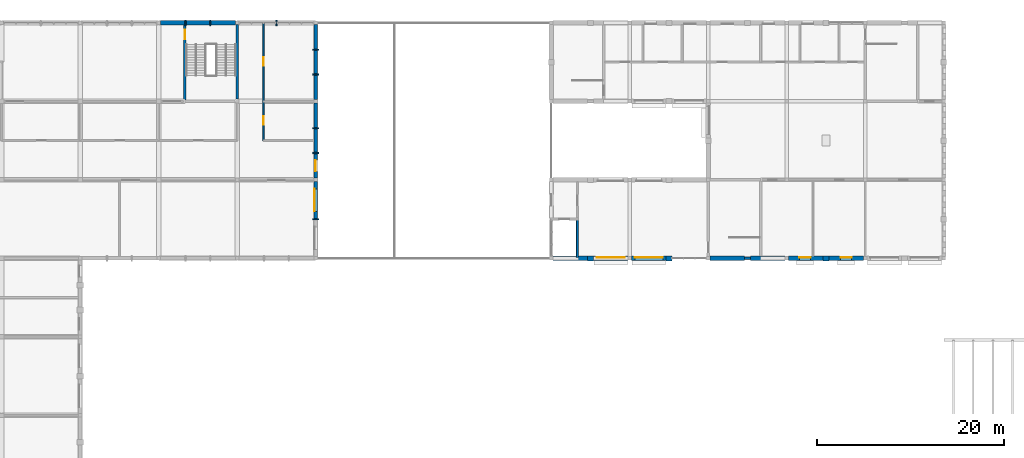
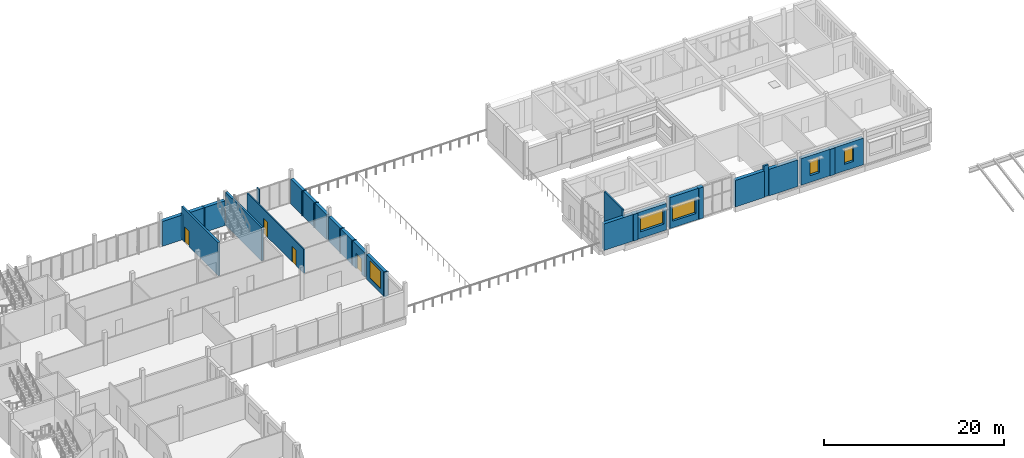
# One storey, part 23 of 30: 33 walls, 5 windows, 4 doors, 9 openings.
"""IFC4 building model written with IfcOpenShell, lengths in metres."""

from ifc_helpers import new_model, si_unit, direction, frame, frame_2d, origin, place, context, subcontext, project, spatial, rectangle, extrude, material, layer, layer_set, type_object, element, fill, save


model = new_model("IFC4")

# Units and contexts
model_context = context("Model", 3, precision=1e-05, world=origin(), true_north=direction((0.0, 1.0)))
body_context = subcontext(model_context, "Body", "Model", "MODEL_VIEW")
ifc_project = project(units=[si_unit("LENGTHUNIT", "METRE"), si_unit("AREAUNIT", "SQUARE_METRE"), si_unit("VOLUMEUNIT", "CUBIC_METRE"), si_unit("PLANEANGLEUNIT", "RADIAN"), si_unit("MASSUNIT", "GRAM", prefix="KILO")], contexts=[model_context])

# Site, building, storey
site_placement = place(None, origin())
site = spatial("IfcSite", under=ifc_project, at=site_placement, CompositionType="ELEMENT")
building_placement = place(site_placement, origin())
building = spatial("IfcBuilding", under=site, at=building_placement, Name="Fescue Hill Polytechnic", CompositionType="ELEMENT")
storey_placement = place(building_placement, frame((0.0, 0.0, 22.5)))
storey = spatial("IfcBuildingStorey", under=building, at=storey_placement, Name="L05", CompositionType="ELEMENT", Elevation=22.5)

# Walls
ifc_material_1 = material(Name="Clay brick masonry", Category="masonry")
ifc_layer_1 = layer(ifc_material_1, 0.550048828125)
ifc_layer_set_1 = layer_set([ifc_layer_1], Name="Clay brick masonry")
wall_type_1 = type_object("IfcWallType", Name="Brick pier 600x550", PredefinedType="SOLIDWALL", material=ifc_layer_set_1)
wall_1_placement = place(storey_placement, frame((79.5, 109.199951171875, 0.0), z_axis=(0.0, 0.0, 1.0), x_axis=(1.0, 0.0, 0.0)))
element("IfcWall", 1, at=wall_1_placement, inside=storey, type_object=wall_type_1, Name="PR-L05-V4b-7", PredefinedType="SOLIDWALL", context=body_context, shape_type="SweptSolid", body=[
    extrude(rectangle(XDim=0.60009765625, YDim=0.550048828125, at=frame_2d((0.300048828125, 0.0))), origin(), (0.0, 0.0, 1.0), 3.60009765625),
])
wall_2_placement = place(storey_placement, frame((87.89990234375, 109.199951171875, 0.0), z_axis=(0.0, 0.0, 1.0), x_axis=(1.0, 0.0, 0.0)))
element("IfcWall", 2, at=wall_2_placement, inside=storey, type_object=wall_type_1, Name="PR-L05-V4b-8", PredefinedType="SOLIDWALL", context=body_context, shape_type="SweptSolid", body=[
    extrude(rectangle(XDim=0.60009765625, YDim=0.550048828125, at=frame_2d((0.300048828125, 0.0))), origin(), (0.0, 0.0, 1.0), 4.199951171875),
])
wall_3_placement = place(storey_placement, frame((104.699951171875, 109.199951171875, 0.0), z_axis=(0.0, 0.0, 1.0), x_axis=(1.0, 0.0, 0.0)))
element("IfcWall", 3, at=wall_3_placement, inside=storey, type_object=wall_type_1, Name="PR-L05-V4b-10", PredefinedType="SOLIDWALL", context=body_context, shape_type="SweptSolid", body=[
    extrude(rectangle(XDim=0.60009765625, YDim=0.550048828125, at=frame_2d((0.300048828125, 0.0))), origin(), (0.0, 0.0, 1.0), 3.60009765625),
])

# Wall, opening, door
ifc_material_2 = material(Name="Concrete 40 MPa", Category="concrete")
ifc_layer_2 = layer(ifc_material_2, 0.25)
ifc_layer_set_2 = layer_set([ifc_layer_2], Name="Concrete 40 MPa")
wall_type_2 = type_object("IfcWallType", Name="Core wall 250", PredefinedType="SHEAR", material=ifc_layer_set_2)
wall_4_placement = place(storey_placement, frame((36.39990234375, 126.125, 0.0), z_axis=(0.0, 0.0, 1.0), x_axis=(0.0, 1.0, 0.0)))
wall_4 = element("IfcWall", 4, at=wall_4_placement, inside=storey, type_object=wall_type_2, Name="CW-L05-ST-V5-2-31", PredefinedType="SHEAR", context=body_context, shape_type="SweptSolid", body=[
    extrude(rectangle(XDim=8.14990234375, YDim=0.25, at=frame_2d((4.074951171875, 0.0))), origin(), (0.0, 0.0, 1.0), 4.5),
])
opening_1_placement = place(wall_4_placement, frame((6.52490234375, 0.0, 0.0)))
opening_1 = element("IfcOpeningElement", 5, at=opening_1_placement, cuts=wall_4, Name="Opening D5044", PredefinedType="OPENING", context=body_context, shape_type="SweptSolid", body=[
    extrude(rectangle(XDim=1.0, YDim=2.10009765625, at=frame_2d((0.5, 1.050048828125))), frame((0.0, 0.135009765625, 0.0), z_axis=(0.0, -1.0, 0.0), x_axis=(1.0, 0.0, 0.0)), (0.0, 0.0, 1.0), 0.27001953125),
])
ifc_material_3 = material(Name="Steel fire door", Category="steel")
door_type_1 = type_object("IfcDoorType", Name="Door single swing 1000x2100 stair fire rated", OperationType="NOTDEFINED", PredefinedType="DOOR", material=ifc_material_3)
door_1_placement = place(opening_1_placement, origin())
door_1 = element("IfcDoor", 6, at=door_1_placement, inside=storey, type_object=door_type_1, Name="L05 ST-V5-2 stair door", OperationType="SINGLE_SWING_RIGHT", OverallHeight=2.10009765625, OverallWidth=1.0, PredefinedType="DOOR", context=body_context, shape_type="SweptSolid", body=[
    extrude(rectangle(XDim=1.0, YDim=2.10009765625, at=frame_2d((0.5, 1.050048828125))), frame((0.0, 0.02490234375, 0.0), z_axis=(0.0, -1.0, 0.0), x_axis=(1.0, 0.0, 0.0)), (0.0, 0.0, 1.0), 0.050048828125),
])
fill(opening_1, door_1)

# Walls
wall_5_placement = place(storey_placement, frame((42.0, 126.25, 0.0), z_axis=(0.0, 0.0, 1.0), x_axis=(0.0, 1.0, 0.0)))
element("IfcWall", 7, at=wall_5_placement, inside=storey, type_object=wall_type_2, Name="CW-L05-ST-V5-2-41", PredefinedType="SHEAR", context=body_context, shape_type="SweptSolid", body=[
    extrude(rectangle(XDim=7.949951171875, YDim=0.25, at=frame_2d((3.97509765625, 0.0))), origin(), (0.0, 0.0, 1.0), 4.5),
])
wall_6_placement = place(storey_placement, frame((96.300048828125, 109.199951171875, 0.0), z_axis=(0.0, 0.0, 1.0), x_axis=(1.0, 0.0, 0.0)))
element("IfcWall", 8, at=wall_6_placement, inside=storey, type_object=wall_type_2, Name="SCW-L05-ST-V4b-3-s1", PredefinedType="SHEAR", context=body_context, shape_type="SweptSolid", body=[
    extrude(rectangle(XDim=0.599853515625, YDim=0.25, at=frame_2d((0.2998046875, 0.0))), origin(), (0.0, 0.0, 1.0), 4.199951171875),
])

# Wall, openings, doors
ifc_material_4 = material(Name="Gypsum board partition")
ifc_layer_3 = layer(ifc_material_4, 0.14990234375)
ifc_layer_set_3 = layer_set([ifc_layer_3], Name="Gypsum board partition")
wall_type_3 = type_object("IfcWallType", Name="Corridor wall 150 EI 45", PredefinedType="PARTITIONING", material=ifc_layer_set_3)
wall_7_placement = place(storey_placement, frame((44.800048828125, 121.800048828125, 0.0), z_axis=(0.0, 0.0, 1.0), x_axis=(0.0, 1.0, 0.0)))
wall_7 = element("IfcWall", 9, at=wall_7_placement, inside=storey, type_object=wall_type_3, Name="IW-L05-059", PredefinedType="PARTITIONING", context=body_context, shape_type="SweptSolid", body=[
    extrude(rectangle(XDim=12.599853515625, YDim=0.14990234375, at=frame_2d((6.2998046875, 0.0))), origin(), (0.0, 0.0, 1.0), 3.27001953125),
])
opening_2_placement = place(wall_7_placement, frame((1.699951171875, 0.0, 0.0)))
opening_2 = element("IfcOpeningElement", 10, at=opening_2_placement, cuts=wall_7, Name="Opening D5024", PredefinedType="OPENING", context=body_context, shape_type="SweptSolid", body=[
    extrude(rectangle(XDim=0.89990234375, YDim=2.10009765625, at=frame_2d((0.449951171875, 1.050048828125))), frame((0.0, 0.0849609375, 0.0), z_axis=(0.0, -1.0, 0.0), x_axis=(1.0, 0.0, 0.0)), (0.0, 0.0, 1.0), 0.169921875),
])
opening_3_placement = place(wall_7_placement, frame((8.0, 0.0, 0.0)))
opening_3 = element("IfcOpeningElement", 11, at=opening_3_placement, cuts=wall_7, Name="Opening D5028", PredefinedType="OPENING", context=body_context, shape_type="SweptSolid", body=[
    extrude(rectangle(XDim=0.89990234375, YDim=2.10009765625, at=frame_2d((0.449951171875, 1.050048828125))), frame((0.0, 0.0849609375, 0.0), z_axis=(0.0, -1.0, 0.0), x_axis=(1.0, 0.0, 0.0)), (0.0, 0.0, 1.0), 0.169921875),
])
ifc_material_5 = material(Name="Timber", Category="wood")
door_type_2 = type_object("IfcDoorType", Name="Door single swing 900x2100 FD30S", OperationType="SINGLE_SWING_LEFT", PredefinedType="DOOR", material=ifc_material_5)
door_2_placement = place(opening_2_placement, origin())
door_2 = element("IfcDoor", 12, at=door_2_placement, inside=storey, type_object=door_type_2, Name="Door D5024", OperationType="SINGLE_SWING_LEFT", OverallHeight=2.10009765625, OverallWidth=0.89990234375, PredefinedType="DOOR", context=body_context, shape_type="SweptSolid", body=[
    extrude(rectangle(XDim=0.89990234375, YDim=2.10009765625, at=frame_2d((0.449951171875, 1.050048828125))), frame((0.0, 0.02490234375, 0.0), z_axis=(0.0, -1.0, 0.0), x_axis=(1.0, 0.0, 0.0)), (0.0, 0.0, 1.0), 0.050048828125),
])
fill(opening_2, door_2)
door_3_placement = place(opening_3_placement, origin())
door_3 = element("IfcDoor", 13, at=door_3_placement, inside=storey, type_object=door_type_2, Name="Door D5028", OperationType="SINGLE_SWING_RIGHT", OverallHeight=2.10009765625, OverallWidth=0.89990234375, PredefinedType="DOOR", context=body_context, shape_type="SweptSolid", body=[
    extrude(rectangle(XDim=0.89990234375, YDim=2.10009765625, at=frame_2d((0.449951171875, 1.050048828125))), frame((0.0, 0.02490234375, 0.0), z_axis=(0.0, -1.0, 0.0), x_axis=(1.0, 0.0, 0.0)), (0.0, 0.0, 1.0), 0.050048828125),
])
fill(opening_3, door_3)

# Walls
ifc_layer_4 = layer(ifc_material_2, 0.449951171875)
ifc_layer_set_4 = layer_set([ifc_layer_4], Name="Concrete 40 MPa")
wall_type_4 = type_object("IfcWallType", Name="Exterior wall board-marked concrete 450", PredefinedType="SOLIDWALL", material=ifc_layer_set_4)
wall_8_placement = place(storey_placement, frame((36.40673828125, 134.39990234375, 0.0), z_axis=(0.0, 0.0, 1.0), x_axis=(-1.0, 0.0, 0.0)))
element("IfcWall", 14, at=wall_8_placement, inside=storey, type_object=wall_type_4, Name="EW-L05-V5-12", PredefinedType="SOLIDWALL", context=body_context, shape_type="SweptSolid", body=[
    extrude(rectangle(XDim=2.606689453125, YDim=0.449951171875, at=frame_2d((1.30322265625, 0.0))), origin(), (0.0, 0.0, 1.0), 3.35009765625),
])
wall_9_placement = place(storey_placement, frame((75.800048828125, 109.199951171875, 0.0), z_axis=(0.0, 0.0, 1.0), x_axis=(1.0, 0.0, 0.0)))
element("IfcWall", 15, at=wall_9_placement, inside=storey, type_object=wall_type_4, Name="EW-L05-V4b-15", PredefinedType="SOLIDWALL", context=body_context, shape_type="SweptSolid", body=[
    extrude(rectangle(XDim=3.699951171875, YDim=0.449951171875, at=frame_2d((1.85009765625, 0.0))), origin(), (0.0, 0.0, 1.0), 3.60009765625),
])

# Wall, opening, window
wall_10_placement = place(storey_placement, frame((80.10009765625, 109.199951171875, 0.0), z_axis=(0.0, 0.0, 1.0), x_axis=(1.0, 0.0, 0.0)))
wall_10 = element("IfcWall", 16, at=wall_10_placement, inside=storey, type_object=wall_type_4, Name="EW-L05-V4b-16", PredefinedType="SOLIDWALL", context=body_context, shape_type="SweptSolid", body=[
    extrude(rectangle(XDim=3.699951171875, YDim=0.449951171875, at=frame_2d((1.85009765625, 0.0))), origin(), (0.0, 0.0, 1.0), 3.60009765625),
])
opening_4_placement = place(wall_10_placement, frame((0.35009765625, 0.0, 0.89990234375)))
opening_4 = element("IfcOpeningElement", 17, at=opening_4_placement, cuts=wall_10, Name="Opening W5", PredefinedType="OPENING", context=body_context, shape_type="SweptSolid", body=[
    extrude(rectangle(XDim=3.0, YDim=2.10009765625, at=frame_2d((1.5, 1.050048828125))), frame((0.0, 0.23486328125, 0.0), z_axis=(0.0, -1.0, 0.0), x_axis=(1.0, 0.0, 0.0)), (0.0, 0.0, 1.0), 0.469970703125),
])
ifc_material_6 = material(Name="Powder-coated aluminium and glass", Category="aluminium")
window_type_1 = type_object("IfcWindowType", Name="Window studio large 3000x2100", PartitioningType="SINGLE_PANEL", PredefinedType="WINDOW", material=ifc_material_6)
window_1_placement = place(opening_4_placement, origin())
window_1 = element("IfcWindow", 18, at=window_1_placement, inside=storey, type_object=window_type_1, Name="WN-L05-V4b-6", OverallHeight=2.10009765625, OverallWidth=3.0, PartitioningType="SINGLE_PANEL", PredefinedType="WINDOW", context=body_context, shape_type="SweptSolid", body=[
    extrude(rectangle(XDim=3.0, YDim=2.10009765625, at=frame_2d((1.5, 1.050048828125))), frame((0.0, 0.135009765625, 0.0), z_axis=(0.0, -1.0, 0.0), x_axis=(1.0, 0.0, 0.0)), (0.0, 0.0, 1.0), 0.06005859375),
])
fill(opening_4, window_1)

wall_11_placement = place(storey_placement, frame((84.199951171875, 109.199951171875, 0.0), z_axis=(0.0, 0.0, 1.0), x_axis=(1.0, 0.0, 0.0)))
wall_11 = element("IfcWall", 19, at=wall_11_placement, inside=storey, type_object=wall_type_4, Name="EW-L05-V4b-17", PredefinedType="SOLIDWALL", context=body_context, shape_type="SweptSolid", body=[
    extrude(rectangle(XDim=3.699951171875, YDim=0.449951171875, at=frame_2d((1.85009765625, 0.0))), origin(), (0.0, 0.0, 1.0), 4.199951171875),
])
opening_5_placement = place(wall_11_placement, frame((0.35009765625, 0.0, 0.89990234375)))
opening_5 = element("IfcOpeningElement", 20, at=opening_5_placement, cuts=wall_11, Name="Opening W5", PredefinedType="OPENING", context=body_context, shape_type="SweptSolid", body=[
    extrude(rectangle(XDim=3.0, YDim=2.10009765625, at=frame_2d((1.5, 1.050048828125))), frame((0.0, 0.23486328125, 0.0), z_axis=(0.0, -1.0, 0.0), x_axis=(1.0, 0.0, 0.0)), (0.0, 0.0, 1.0), 0.469970703125),
])
window_2_placement = place(opening_5_placement, origin())
window_2 = element("IfcWindow", 21, at=window_2_placement, inside=storey, type_object=window_type_1, Name="WN-L05-V4b-7", OverallHeight=2.10009765625, OverallWidth=3.0, PartitioningType="SINGLE_PANEL", PredefinedType="WINDOW", context=body_context, shape_type="SweptSolid", body=[
    extrude(rectangle(XDim=3.0, YDim=2.10009765625, at=frame_2d((1.5, 1.050048828125))), frame((0.0, 0.135009765625, 0.0), z_axis=(0.0, -1.0, 0.0), x_axis=(1.0, 0.0, 0.0)), (0.0, 0.0, 1.0), 0.06005859375),
])
fill(opening_5, window_2)

wall_12_placement = place(storey_placement, frame((101.0, 109.199951171875, 0.0), z_axis=(0.0, 0.0, 1.0), x_axis=(1.0, 0.0, 0.0)))
wall_12 = element("IfcWall", 22, at=wall_12_placement, inside=storey, type_object=wall_type_4, Name="EW-L05-V4b-21", PredefinedType="SOLIDWALL", context=body_context, shape_type="SweptSolid", body=[
    extrude(rectangle(XDim=3.699951171875, YDim=0.449951171875, at=frame_2d((1.85009765625, 0.0))), origin(), (0.0, 0.0, 1.0), 3.60009765625),
])
opening_6_placement = place(wall_12_placement, frame((1.14990234375, 0.0, 0.89990234375)))
opening_6 = element("IfcOpeningElement", 23, at=opening_6_placement, cuts=wall_12, Name="Opening W13", PredefinedType="OPENING", context=body_context, shape_type="SweptSolid", body=[
    extrude(rectangle(XDim=1.199951171875, YDim=2.10009765625, at=frame_2d((0.60009765625, 1.050048828125))), frame((0.0, 0.23486328125, 0.0), z_axis=(0.0, -1.0, 0.0), x_axis=(1.0, 0.0, 0.0)), (0.0, 0.0, 1.0), 0.469970703125),
])
window_type_2 = type_object("IfcWindowType", Name="Window cellular office 1200x2100", PartitioningType="SINGLE_PANEL", PredefinedType="WINDOW", material=ifc_material_6)
window_3_placement = place(opening_6_placement, origin())
window_3 = element("IfcWindow", 24, at=window_3_placement, inside=storey, type_object=window_type_2, Name="WN-L05-V4b-8", OverallHeight=2.10009765625, OverallWidth=1.199951171875, PartitioningType="SINGLE_PANEL", PredefinedType="WINDOW", context=body_context, shape_type="SweptSolid", body=[
    extrude(rectangle(XDim=1.199951171875, YDim=2.10009765625, at=frame_2d((0.60009765625, 1.050048828125))), frame((0.0, 0.135009765625, 0.0), z_axis=(0.0, -1.0, 0.0), x_axis=(1.0, 0.0, 0.0)), (0.0, 0.0, 1.0), 0.06005859375),
])
fill(opening_6, window_3)

wall_13_placement = place(storey_placement, frame((105.300048828125, 109.199951171875, 0.0), z_axis=(0.0, 0.0, 1.0), x_axis=(1.0, 0.0, 0.0)))
wall_13 = element("IfcWall", 25, at=wall_13_placement, inside=storey, type_object=wall_type_4, Name="EW-L05-V4b-22", PredefinedType="SOLIDWALL", context=body_context, shape_type="SweptSolid", body=[
    extrude(rectangle(XDim=3.699951171875, YDim=0.449951171875, at=frame_2d((1.85009765625, 0.0))), origin(), (0.0, 0.0, 1.0), 3.60009765625),
])
opening_7_placement = place(wall_13_placement, frame((1.25, 0.0, 0.89990234375)))
opening_7 = element("IfcOpeningElement", 26, at=opening_7_placement, cuts=wall_13, Name="Opening W13", PredefinedType="OPENING", context=body_context, shape_type="SweptSolid", body=[
    extrude(rectangle(XDim=1.199951171875, YDim=2.10009765625, at=frame_2d((0.60009765625, 1.050048828125))), frame((0.0, 0.23486328125, 0.0), z_axis=(0.0, -1.0, 0.0), x_axis=(1.0, 0.0, 0.0)), (0.0, 0.0, 1.0), 0.469970703125),
])
window_4_placement = place(opening_7_placement, origin())
window_4 = element("IfcWindow", 27, at=window_4_placement, inside=storey, type_object=window_type_2, Name="WN-L05-V4b-9", OverallHeight=2.10009765625, OverallWidth=1.199951171875, PartitioningType="SINGLE_PANEL", PredefinedType="WINDOW", context=body_context, shape_type="SweptSolid", body=[
    extrude(rectangle(XDim=1.199951171875, YDim=2.10009765625, at=frame_2d((0.60009765625, 1.050048828125))), frame((0.0, 0.135009765625, 0.0), z_axis=(0.0, -1.0, 0.0), x_axis=(1.0, 0.0, 0.0)), (0.0, 0.0, 1.0), 0.06005859375),
])
fill(opening_7, window_4)

# Walls
ifc_layer_5 = layer(ifc_material_2, 0.449951171875)
ifc_layer_set_5 = layer_set([ifc_layer_5], Name="Concrete 40 MPa")
wall_type_5 = type_object("IfcWallType", Name="Exterior wall board-marked concrete 450 load-bearing", PredefinedType="SOLIDWALL", material=ifc_layer_set_5)
wall_14_placement = place(storey_placement, frame((41.800048828125, 134.39990234375, 0.0), z_axis=(0.0, 0.0, 1.0), x_axis=(-1.0, 0.0, 0.0)))
element("IfcWall", 28, at=wall_14_placement, inside=storey, type_object=wall_type_5, Name="EW-L05-V5-10", PredefinedType="SOLIDWALL", context=body_context, shape_type="SweptSolid", body=[
    extrude(rectangle(XDim=2.606689453125, YDim=0.449951171875, at=frame_2d((1.30322265625, 0.0))), origin(), (0.0, 0.0, 1.0), 3.35009765625),
])
wall_15_placement = place(storey_placement, frame((39.0732421875, 134.39990234375, 0.0), z_axis=(0.0, 0.0, 1.0), x_axis=(-1.0, 0.0, 0.0)))
element("IfcWall", 29, at=wall_15_placement, inside=storey, type_object=wall_type_5, Name="EW-L05-V5-11", PredefinedType="SOLIDWALL", context=body_context, shape_type="SweptSolid", body=[
    extrude(rectangle(XDim=2.546630859375, YDim=0.449951171875, at=frame_2d((1.2734375, 0.0))), origin(), (0.0, 0.0, 1.0), 3.35009765625),
])
wall_16_placement = place(storey_placement, frame((92.60009765625, 109.199951171875, 0.0), z_axis=(0.0, 0.0, 1.0), x_axis=(1.0, 0.0, 0.0)))
element("IfcWall", 30, at=wall_16_placement, inside=storey, type_object=wall_type_5, Name="EW-L05-V4b-19", PredefinedType="SOLIDWALL", context=body_context, shape_type="SweptSolid", body=[
    extrude(rectangle(XDim=3.699951171875, YDim=0.449951171875, at=frame_2d((1.85009765625, 0.0))), origin(), (0.0, 0.0, 1.0), 3.60009765625),
])
wall_17_placement = place(storey_placement, frame((96.89990234375, 109.199951171875, 0.0), z_axis=(0.0, 0.0, 1.0), x_axis=(1.0, 0.0, 0.0)))
element("IfcWall", 31, at=wall_17_placement, inside=storey, type_object=wall_type_5, Name="EW-L05-V4b-20", PredefinedType="SOLIDWALL", context=body_context, shape_type="SweptSolid", body=[
    extrude(rectangle(XDim=3.7001953125, YDim=0.449951171875, at=frame_2d((1.85009765625, 0.0))), origin(), (0.0, 0.0, 1.0), 3.60009765625),
])

# Wall, opening, window
ifc_layer_6 = layer(ifc_material_1, 0.39990234375)
ifc_layer_set_6 = layer_set([ifc_layer_6], Name="Clay brick masonry")
wall_type_6 = type_object("IfcWallType", Name="Exterior wall clinker brick cavity 400", PredefinedType="SOLIDWALL", material=ifc_layer_set_6)
wall_18_placement = place(storey_placement, frame((50.39990234375, 113.4599609375, 0.0), z_axis=(0.0, 0.0, 1.0), x_axis=(0.0, 1.0, 0.0)))
wall_18 = element("IfcWall", 32, at=wall_18_placement, inside=storey, type_object=wall_type_6, Name="EW-L05-V5-2", PredefinedType="SOLIDWALL", context=body_context, shape_type="SweptSolid", body=[
    extrude(rectangle(XDim=3.93994140625, YDim=0.39990234375, at=frame_2d((1.969970703125, 0.0))), origin(), (0.0, 0.0, 1.0), 3.35009765625),
])
opening_8_placement = place(wall_18_placement, frame((0.77001953125, 0.0, 0.60009765625)))
opening_8 = element("IfcOpeningElement", 33, at=opening_8_placement, cuts=wall_18, Name="Opening W4", PredefinedType="OPENING", context=body_context, shape_type="SweptSolid", body=[
    extrude(rectangle(XDim=2.39990234375, YDim=2.39990234375, at=frame_2d((1.199951171875, 1.199951171875))), frame((0.0, 0.2099609375, 0.0), z_axis=(0.0, -1.0, 0.0), x_axis=(1.0, 0.0, 0.0)), (0.0, 0.0, 1.0), 0.419921875),
])
window_type_3 = type_object("IfcWindowType", Name="Window library tall 2400x2400", PartitioningType="DOUBLE_PANEL_VERTICAL", PredefinedType="WINDOW", material=ifc_material_6)
window_5_placement = place(opening_8_placement, origin())
window_5 = element("IfcWindow", 34, at=window_5_placement, inside=storey, type_object=window_type_3, Name="WN-L05-V5-2", OverallHeight=2.39990234375, OverallWidth=2.39990234375, PartitioningType="SINGLE_PANEL", PredefinedType="WINDOW", context=body_context, shape_type="SweptSolid", body=[
    extrude(rectangle(XDim=2.39990234375, YDim=2.39990234375, at=frame_2d((1.199951171875, 1.199951171875))), frame((0.0, 0.159912109375, 0.0), z_axis=(0.0, -1.0, 0.0), x_axis=(1.0, 0.0, 0.0)), (0.0, 0.0, 1.0), 0.06005859375),
])
fill(opening_8, window_5)

# Wall, opening, door
wall_19_placement = place(storey_placement, frame((50.39990234375, 117.800048828125, 0.0), z_axis=(0.0, 0.0, 1.0), x_axis=(0.0, 1.0, 0.0)))
wall_19 = element("IfcWall", 35, at=wall_19_placement, inside=storey, type_object=wall_type_6, Name="EW-L05-V5-3", PredefinedType="SOLIDWALL", context=body_context, shape_type="SweptSolid", body=[
    extrude(rectangle(XDim=2.606689453125, YDim=0.39990234375, at=frame_2d((1.30322265625, 0.0))), origin(), (0.0, 0.0, 1.0), 3.35009765625),
])
opening_9_placement = place(wall_19_placement, frame((0.703369140625, 0.0, 0.0)))
opening_9 = element("IfcOpeningElement", 36, at=opening_9_placement, cuts=wall_19, Name="Opening D5001", PredefinedType="OPENING", context=body_context, shape_type="SweptSolid", body=[
    extrude(rectangle(XDim=1.199951171875, YDim=2.10009765625, at=frame_2d((0.60009765625, 1.050048828125))), frame((0.0, 0.2099609375, 0.0), z_axis=(0.0, -1.0, 0.0), x_axis=(1.0, 0.0, 0.0)), (0.0, 0.0, 1.0), 0.419921875),
])
ifc_material_7 = material(Name="Aluminium and glass", Category="aluminium")
door_type_3 = type_object("IfcDoorType", Name="Door terrace glazed single 1200x2100", OperationType="SINGLE_SWING_LEFT", PredefinedType="DOOR", material=ifc_material_7)
door_4_placement = place(opening_9_placement, origin())
door_4 = element("IfcDoor", 37, at=door_4_placement, inside=storey, type_object=door_type_3, Name="Door D5001", OperationType="SINGLE_SWING_LEFT", OverallHeight=2.10009765625, OverallWidth=1.199951171875, PredefinedType="DOOR", context=body_context, shape_type="SweptSolid", body=[
    extrude(rectangle(XDim=1.199951171875, YDim=2.10009765625, at=frame_2d((0.60009765625, 1.050048828125))), frame((0.0, 0.02490234375, 0.0), z_axis=(0.0, -1.0, 0.0), x_axis=(1.0, 0.0, 0.0)), (0.0, 0.0, 1.0), 0.050048828125),
])
fill(opening_9, door_4)

# Walls
wall_20_placement = place(storey_placement, frame((50.39990234375, 120.526611328125, 0.0), z_axis=(0.0, 0.0, 1.0), x_axis=(0.0, 1.0, 0.0)))
element("IfcWall", 38, at=wall_20_placement, inside=storey, type_object=wall_type_6, Name="EW-L05-V5-4", PredefinedType="SOLIDWALL", context=body_context, shape_type="SweptSolid", body=[
    extrude(rectangle(XDim=2.546630859375, YDim=0.39990234375, at=frame_2d((1.2734375, 0.0))), origin(), (0.0, 0.0, 1.0), 3.35009765625),
])
for number, where, z_axis, x_axis, name in (
    (39, (50.39990234375, 123.193359375, 0.0), (0.0, 0.0, 1.0), (0.0, 1.0, 0.0), "EW-L05-V5-5"),
    (40, (50.39990234375, 126.199951171875, 0.0), (0.0, 0.0, 1.0), (0.0, 1.0, 0.0), "EW-L05-V5-6"),
):
    element("IfcWall", number, at=place(storey_placement, frame(where, z_axis=z_axis, x_axis=x_axis)), inside=storey, type_object=wall_type_6, Name=name, PredefinedType="SOLIDWALL", context=body_context, shape_type="SweptSolid", body=[
        extrude(rectangle(XDim=2.606689453125, YDim=0.39990234375, at=frame_2d((1.30322265625, 0.0))), origin(), (0.0, 0.0, 1.0), 3.35009765625),
    ])
wall_21_placement = place(storey_placement, frame((50.39990234375, 128.9267578125, 0.0), z_axis=(0.0, 0.0, 1.0), x_axis=(0.0, 1.0, 0.0)))
element("IfcWall", 41, at=wall_21_placement, inside=storey, type_object=wall_type_6, Name="EW-L05-V5-7", PredefinedType="SOLIDWALL", context=body_context, shape_type="SweptSolid", body=[
    extrude(rectangle(XDim=2.546630859375, YDim=0.39990234375, at=frame_2d((1.2734375, 0.0))), origin(), (0.0, 0.0, 1.0), 3.35009765625),
])
wall_22_placement = place(storey_placement, frame((50.39990234375, 131.59326171875, 0.0), z_axis=(0.0, 0.0, 1.0), x_axis=(0.0, 1.0, 0.0)))
element("IfcWall", 42, at=wall_22_placement, inside=storey, type_object=wall_type_6, Name="EW-L05-V5-8", PredefinedType="SOLIDWALL", context=body_context, shape_type="SweptSolid", body=[
    extrude(rectangle(XDim=2.606689453125, YDim=0.39990234375, at=frame_2d((1.30322265625, 0.0))), origin(), (0.0, 0.0, 1.0), 3.35009765625),
])
ifc_layer_7 = layer(ifc_material_2, 0.199951171875)
ifc_layer_set_7 = layer_set([ifc_layer_7], Name="Concrete 40 MPa")
wall_type_7 = type_object("IfcWallType", Name="Lift shaft wall 200", PredefinedType="SHEAR", material=ifc_layer_set_7)
wall_23_placement = place(storey_placement, frame((78.39990234375, 109.300048828125, 0.0), z_axis=(0.0, 0.0, 1.0), x_axis=(0.0, 1.0, 0.0)))
element("IfcWall", 43, at=wall_23_placement, inside=storey, type_object=wall_type_7, Name="CW-L05-LF-V4b-1-41", PredefinedType="SHEAR", context=body_context, shape_type="SweptSolid", body=[
    extrude(rectangle(XDim=4.0, YDim=0.199951171875, at=frame_2d((2.0, 0.0))), origin(), (0.0, 0.0, 1.0), 4.5),
])
ifc_material_8 = material(Name="Glulam 24f-EX", Category="wood")
ifc_layer_8 = layer(ifc_material_8, 0.60009765625)
ifc_layer_set_8 = layer_set([ifc_layer_8], Name="Glulam 24f-EX")
wall_type_8 = type_object("IfcWallType", Name="Timber fin 120x600", PredefinedType="SOLIDWALL", material=ifc_layer_set_8)
for number, where, z_axis, x_axis, name in (
    (44, (50.39990234375, 113.340087890625, 0.0), (0.0, 0.0, 1.0), (0.0, 1.0, 0.0), "PR-L05-V5-1"),
    (45, (50.39990234375, 120.40673828125, 0.0), (0.0, 0.0, 1.0), (0.0, 1.0, 0.0), "PR-L05-V5-2"),
):
    element("IfcWall", number, at=place(storey_placement, frame(where, z_axis=z_axis, x_axis=x_axis)), inside=storey, type_object=wall_type_8, Name=name, PredefinedType="SOLIDWALL", context=body_context, shape_type="SweptSolid", body=[
        extrude(rectangle(XDim=0.119873046875, YDim=0.60009765625, at=frame_2d((0.06005859375, 0.0))), origin(), (0.0, 0.0, 1.0), 3.35009765625),
    ])
for number, where, z_axis, x_axis, name in (
    (46, (50.39990234375, 123.0732421875, 0.0), (0.0, 0.0, 1.0), (0.0, 1.0, 0.0), "PR-L05-V5-3"),
    (47, (50.39990234375, 128.806640625, 0.0), (0.0, 0.0, 1.0), (0.0, 1.0, 0.0), "PR-L05-V5-4"),
):
    element("IfcWall", number, at=place(storey_placement, frame(where, z_axis=z_axis, x_axis=x_axis)), inside=storey, type_object=wall_type_8, Name=name, PredefinedType="SOLIDWALL", context=body_context, shape_type="SweptSolid", body=[
        extrude(rectangle(XDim=0.1201171875, YDim=0.60009765625, at=frame_2d((0.06005859375, 0.0))), origin(), (0.0, 0.0, 1.0), 3.35009765625),
    ])
wall_24_placement = place(storey_placement, frame((50.39990234375, 131.473388671875, 0.0), z_axis=(0.0, 0.0, 1.0), x_axis=(0.0, 1.0, 0.0)))
element("IfcWall", 48, at=wall_24_placement, inside=storey, type_object=wall_type_8, Name="PR-L05-V5-5", PredefinedType="SOLIDWALL", context=body_context, shape_type="SweptSolid", body=[
    extrude(rectangle(XDim=0.119873046875, YDim=0.60009765625, at=frame_2d((0.06005859375, 0.0))), origin(), (0.0, 0.0, 1.0), 3.35009765625),
])
for number, where, z_axis, x_axis, name in (
    (49, (46.260009765625, 134.39990234375, 0.0), (0.0, 0.0, 1.0), (-1.0, 0.0, 0.0), "PR-L05-V5-6"),
    (50, (39.193359375, 134.39990234375, 0.0), (0.0, 0.0, 1.0), (-1.0, 0.0, 0.0), "PR-L05-V5-7"),
):
    element("IfcWall", number, at=place(storey_placement, frame(where, z_axis=z_axis, x_axis=x_axis)), inside=storey, type_object=wall_type_8, Name=name, PredefinedType="SOLIDWALL", context=body_context, shape_type="SweptSolid", body=[
        extrude(rectangle(XDim=0.1201171875, YDim=0.60009765625, at=frame_2d((0.06005859375, 0.0))), origin(), (0.0, 0.0, 1.0), 3.35009765625),
    ])
wall_25_placement = place(storey_placement, frame((36.526611328125, 134.39990234375, 0.0), z_axis=(0.0, 0.0, 1.0), x_axis=(-1.0, 0.0, 0.0)))
element("IfcWall", 51, at=wall_25_placement, inside=storey, type_object=wall_type_8, Name="PR-L05-V5-8", PredefinedType="SOLIDWALL", context=body_context, shape_type="SweptSolid", body=[
    extrude(rectangle(XDim=0.119873046875, YDim=0.60009765625, at=frame_2d((0.06005859375, 0.0))), origin(), (0.0, 0.0, 1.0), 3.35009765625),
])

save(model, "model.ifc")
